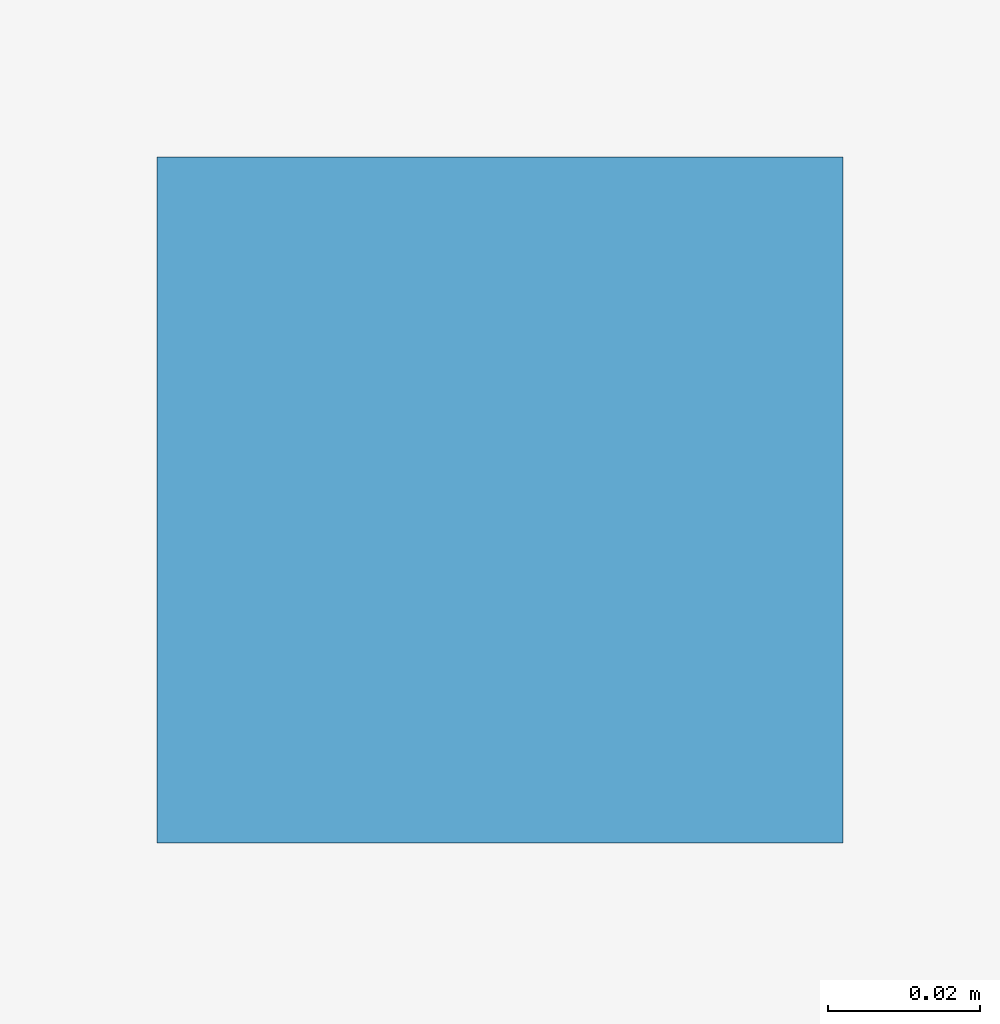
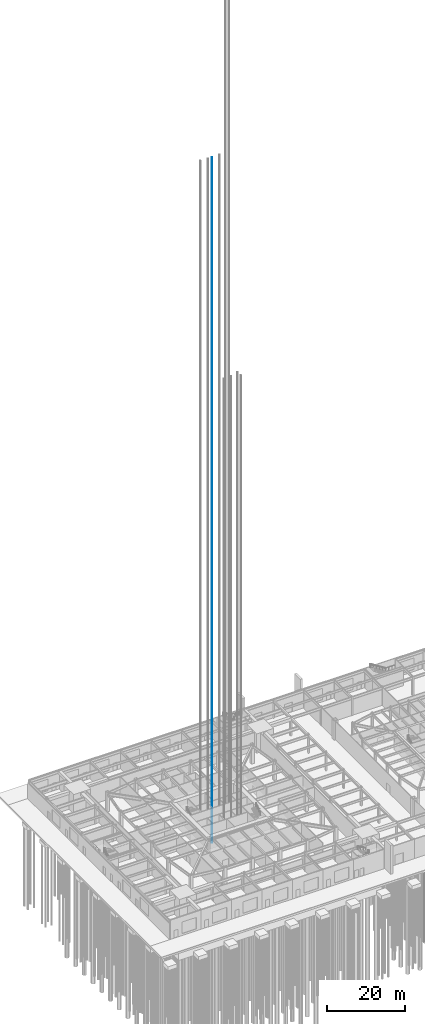
# One storey, part 30 of 37: 1 discrete accessory.
"""IFC4 building model written with IfcOpenShell, lengths in metres."""

from ifc_helpers import new_model, si_unit, direction, frame, origin, origin_2d, place, context, subcontext, project, spatial, rectangle, extrude, material, element, save


model = new_model("IFC4")

# Units and contexts
model_context = context("Model", 3, precision=1e-05, world=origin(), true_north=direction((0.0, 1.0)))
body_context = subcontext(model_context, "Body", "Model", "MODEL_VIEW")
ifc_project = project(units=[si_unit("LENGTHUNIT", "METRE"), si_unit("AREAUNIT", "SQUARE_METRE"), si_unit("VOLUMEUNIT", "CUBIC_METRE"), si_unit("PLANEANGLEUNIT", "RADIAN"), si_unit("MASSUNIT", "GRAM", prefix="KILO")], contexts=[model_context])

# Site, building, storey
site_placement = place(None, origin())
site = spatial("IfcSite", under=ifc_project, at=site_placement, CompositionType="ELEMENT")
building_placement = place(site_placement, origin())
building = spatial("IfcBuilding", under=site, at=building_placement, Name="Iwan Alto Co-Living Towers", CompositionType="ELEMENT")
storey_placement = place(building_placement, origin())
storey = spatial("IfcBuildingStorey", under=building, at=storey_placement, Name="L00", CompositionType="ELEMENT", Elevation=0.0)

# Discrete accessory
ifc_material = material(Name="Steel ASTM A36", Category="steel")
placement = place(storey_placement, frame((0.0, 3.0, 0.0), z_axis=(0.0, 0.0, 1.0), x_axis=(1.0, 0.0, 0.0)))
discrete_accessory_placement = place(placement, origin())
element("IfcDiscreteAccessory", 1, at=discrete_accessory_placement, inside=storey, material=ifc_material, Name="Lift P3-2 guide rail 1", ObjectType="Lift guide rail", PredefinedType="USERDEFINED", context=body_context, shape_type="SweptSolid", body=[
    extrude(rectangle(XDim=0.09, YDim=0.09, at=origin_2d()), frame((-1.10009765625, 0.0, -5.89990234375)), (0.0, 0.0, 1.0), 213.800048828125),
])

save(model, "model.ifc")
